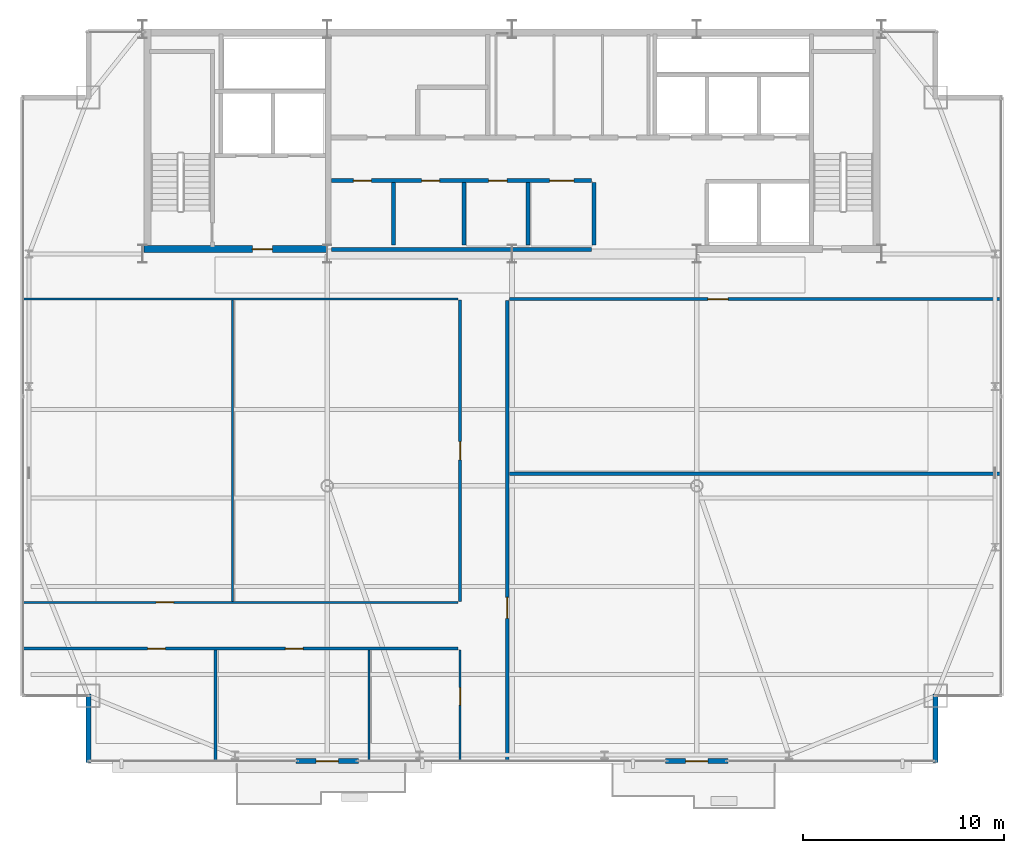
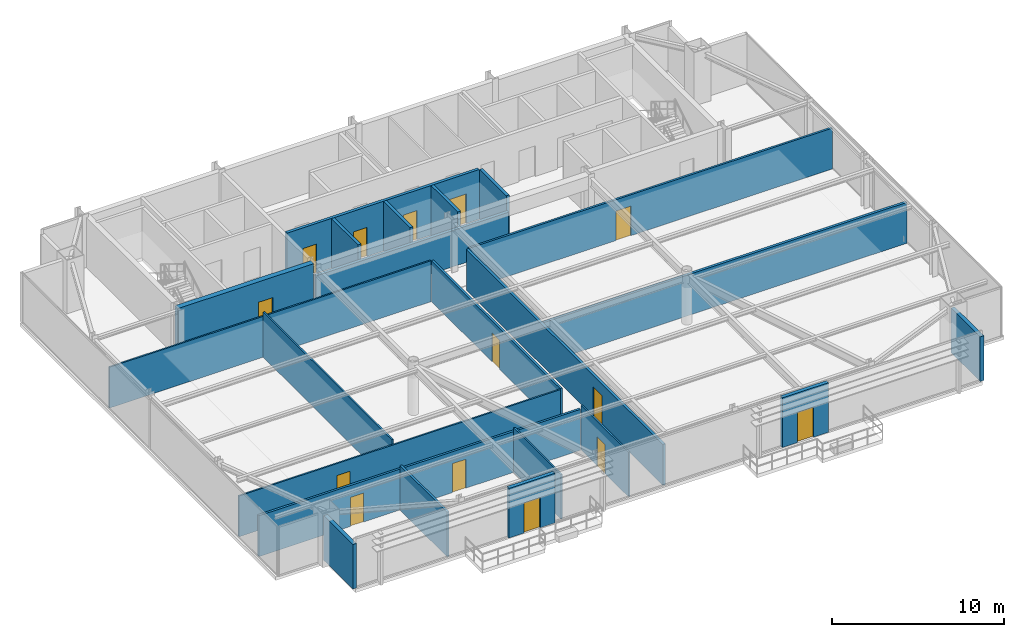
# One storey, part 26 of 30: 22 walls, 14 doors, 14 openings.
"""IFC4 building model written with IfcOpenShell, lengths in metres."""

import ifcopenshell
import ifcopenshell.guid

model = None  # the IFC model being written
_history = None  # IfcOwnerHistory: only IFC2X3 demands one
_inside = {}  # id of a spatial element -> (the spatial element, [elements in it])
_under = {}  # id of a project, library or spatial element -> (it, [spatial elements below it])
_declared = {}  # id of a project -> (the project, [libraries it declares])
_typed = {}  # id of a type object -> (the type object, [elements of that type])
_made_of = {}  # id of a material, layer set ... -> (it, [elements and type objects made of it])


def new_model(schema):
    """Start an empty IFC model of exactly this schema.

    Asked for "IFC4X3", IfcOpenShell would pick the latest addendum, in which some entities
    have other attributes; the version numbers below select the first issue.
    IFC2X3 requires an IfcOwnerHistory on every rooted entity: one is made here for all.
    """
    global model, _history
    if schema == "IFC4X3":
        model = ifcopenshell.file(schema_version=(4, 3, 0, 0))
    else:
        model = ifcopenshell.file(schema=schema)
    _inside.clear()
    _under.clear()
    _declared.clear()
    _typed.clear()
    _made_of.clear()
    _history = None
    if model.schema == "IFC2X3":
        org = make("IfcOrganization", Name="unknown")
        user = make(
            "IfcPersonAndOrganization",
            ThePerson=make("IfcPerson", FamilyName="unknown"),
            TheOrganization=org,
        )
        app = make(
            "IfcApplication",
            ApplicationDeveloper=org,
            Version="unknown",
            ApplicationFullName="unknown",
            ApplicationIdentifier="unknown",
        )
        _history = make(
            "IfcOwnerHistory",
            OwningUser=user,
            OwningApplication=app,
            ChangeAction="ADDED",
            CreationDate=0,
        )
    return model


def make(cls, **values):
    """One entity of the class cls with the attributes given. An attribute that is None is left unset."""
    return model.create_entity(
        cls, **{name: value for name, value in values.items() if value is not None}
    )


def rooted(cls, **values):
    """An entity with a GlobalId (a new one), such as an element, a storey or a relation."""
    return make(cls, GlobalId=ifcopenshell.guid.new(), OwnerHistory=_history, **values)


def si_unit(unit_type, name, prefix=None):
    """IfcSIUnit, for example si_unit("LENGTHUNIT", "METRE", prefix="MILLI")."""
    return make("IfcSIUnit", UnitType=unit_type, Prefix=prefix, Name=name)


def assignment(units):
    """IfcUnitAssignment: the units of a project."""
    return None if units is None else make("IfcUnitAssignment", Units=units)


def point(xyz):
    """IfcCartesianPoint."""
    return None if xyz is None else make("IfcCartesianPoint", Coordinates=xyz)


def direction(xyz):
    """IfcDirection."""
    return None if xyz is None else make("IfcDirection", DirectionRatios=xyz)


def frame(location, z_axis=None, x_axis=None):
    """IfcAxis2Placement3D, a coordinate frame: its origin and axes. An axis left out is left unset."""
    return make(
        "IfcAxis2Placement3D",
        Location=point(location),
        Axis=direction(z_axis),
        RefDirection=direction(x_axis),
    )


def frame_2d(location, x_axis=None):
    """IfcAxis2Placement2D, a coordinate frame in the plane: its origin and x axis."""
    return make(
        "IfcAxis2Placement2D", Location=point(location), RefDirection=direction(x_axis)
    )


def origin():
    """The frame at (0, 0, 0) with its axes left unset."""
    return frame((0.0, 0.0, 0.0))


def place(relative_to, where):
    """IfcLocalPlacement: puts the frame where relative to a parent placement (None: the world)."""
    return make(
        "IfcLocalPlacement", PlacementRelTo=relative_to, RelativePlacement=where
    )


def context(
    kind, dimensions, precision=None, world=None, true_north=None, identifier=None
):
    """IfcGeometricRepresentationContext, for example the 3D "Model" context."""
    return make(
        "IfcGeometricRepresentationContext",
        ContextIdentifier=identifier,
        ContextType=kind,
        CoordinateSpaceDimension=dimensions,
        Precision=precision,
        WorldCoordinateSystem=world,
        TrueNorth=true_north,
    )


def subcontext(parent, identifier, kind, view, scale=None):
    """IfcGeometricRepresentationSubContext, for example "Body" below "Model"."""
    return make(
        "IfcGeometricRepresentationSubContext",
        ContextIdentifier=identifier,
        ContextType=kind,
        ParentContext=parent,
        TargetScale=scale,
        TargetView=view,
    )


def project(units=None, contexts=None):
    """IfcProject with its units and contexts."""
    return rooted(
        "IfcProject",
        Name="project",
        RepresentationContexts=contexts,
        UnitsInContext=assignment(units),
    )


def spatial(cls, under=None, at=None, **own):
    """A site, building, storey or space (cls), placed at a placement, below another one or the project."""
    s = rooted(cls, ObjectPlacement=at, **own)
    if under is not None:
        _under.setdefault(under.id(), (under, []))[1].append(s)
    return s


def profile(cls, at=None, kind="AREA", **sizes):
    """A parametric profile (cls). Its sizes go by their IFC names, for example OverallWidth=200.0."""
    return make(cls, ProfileType=kind, Position=at, **sizes)


def rectangle(**sizes):
    """IfcRectangleProfileDef."""
    return profile("IfcRectangleProfileDef", **sizes)


def extrude(swept, where, along, depth):
    """IfcExtrudedAreaSolid: the profile swept, set in the frame where, extruded along a direction by depth."""
    return make(
        "IfcExtrudedAreaSolid",
        SweptArea=swept,
        Position=where,
        ExtrudedDirection=direction(along),
        Depth=depth,
    )


def shape(context_of_items, identifier, shape_type, items):
    """IfcShapeRepresentation: the items that make up one representation, for example the "Body"."""
    return make(
        "IfcShapeRepresentation",
        ContextOfItems=context_of_items,
        RepresentationIdentifier=identifier,
        RepresentationType=shape_type,
        Items=items,
    )


def source(mapping_origin, context_of_items, identifier, shape_type, items):
    """IfcRepresentationMap: a shape defined once, which mapped items show again and again."""
    return make(
        "IfcRepresentationMap",
        MappingOrigin=mapping_origin,
        MappedRepresentation=shape(context_of_items, identifier, shape_type, items),
    )


def transform(
    local_origin,
    x_axis=None,
    y_axis=None,
    z_axis=None,
    scale=None,
    scale2=None,
    scale3=None,
    uniform=True,
):
    """IfcCartesianTransformationOperator3D, or its non-uniform kind. x_axis, y_axis, z_axis: its Axis1, 2, 3."""
    if uniform:
        return make(
            "IfcCartesianTransformationOperator3D",
            Axis1=direction(x_axis),
            Axis2=direction(y_axis),
            LocalOrigin=point(local_origin),
            Scale=scale,
            Axis3=direction(z_axis),
        )
    return make(
        "IfcCartesianTransformationOperator3DnonUniform",
        Axis1=direction(x_axis),
        Axis2=direction(y_axis),
        LocalOrigin=point(local_origin),
        Scale=scale,
        Axis3=direction(z_axis),
        Scale2=scale2,
        Scale3=scale3,
    )


def mapped(mapping_source, mapping_target):
    """IfcMappedItem: shows the shape of a source again, moved by a transform."""
    return make(
        "IfcMappedItem", MappingSource=mapping_source, MappingTarget=mapping_target
    )


def material(Name=None, Category=None):
    """IfcMaterial."""
    return make("IfcMaterial", Name=Name, Category=Category)


def layer(
    of_material, thickness, ventilated=None, Name=None, Category=None, Priority=None
):
    """IfcMaterialLayer: one layer of a wall or slab, of a material (None: an air gap)."""
    return make(
        "IfcMaterialLayer",
        Material=of_material,
        LayerThickness=thickness,
        IsVentilated=ventilated,
        Name=Name,
        Category=Category,
        Priority=Priority,
    )


def layer_set(layers, Name=None):
    """IfcMaterialLayerSet."""
    return make("IfcMaterialLayerSet", MaterialLayers=layers, LayerSetName=Name)


def made_of(thing, what):
    """Note that an element or type object is made of a material, layer set ...; save() writes the relation."""
    if what is not None:
        _made_of.setdefault(what.id(), (what, []))[1].append(thing)
    return thing


def type_object(cls, material=None, **own):
    """A type object (cls), such as IfcWallType, which elements share."""
    return made_of(rooted(cls, **own), material)


def type_shapes(of_type, sources):
    """Give a type object the sources (RepresentationMaps) that its elements show as mapped items."""
    of_type.RepresentationMaps = sources


def element(
    cls,
    number,
    at=None,
    inside=None,
    cuts=None,
    type_object=None,
    material=None,
    context=None,
    identifier="Body",
    shape_type=None,
    held_by="IfcProductDefinitionShape",
    body=None,
    shapes=None,
    **own,
):
    """One element of the class cls, such as IfcWall. Its Tag is "e" and its number.

    at: its placement. inside: the storey or other place that contains it. cuts: it is an
    opening in that element (IfcRelVoidsElement). A single representation is given by context,
    identifier, shape_type and body (its items); several are given by shapes. held_by: the class
    of the entity that holds the representations. save() writes the other relations.
    """
    e = rooted(cls, Tag="e%d" % number, ObjectPlacement=at, **own)
    if body is not None:
        shapes = [shape(context, identifier, shape_type, body)]
    if shapes is not None:
        e.Representation = make(held_by, Representations=shapes)
    if inside is not None:
        _inside.setdefault(inside.id(), (inside, []))[1].append(e)
    if cuts is not None:
        rooted(
            "IfcRelVoidsElement", RelatingBuildingElement=cuts, RelatedOpeningElement=e
        )
    if type_object is not None:
        _typed.setdefault(type_object.id(), (type_object, []))[1].append(e)
    return made_of(e, material)


def fill(opening, filler):
    """IfcRelFillsElement: the door or window that sits in an opening."""
    return rooted(
        "IfcRelFillsElement",
        RelatingOpeningElement=opening,
        RelatedBuildingElement=filler,
    )


def aggregate(whole, parts):
    """IfcRelAggregates: a whole, such as a stair, and the parts it consists of."""
    return rooted("IfcRelAggregates", RelatingObject=whole, RelatedObjects=parts)


def save(model, path):
    """Write the relations noted so far, then the file.

    IfcRelAggregates (storeys below a building ...), IfcRelContainedInSpatialStructure (elements
    in a storey), IfcRelDefinesByType, IfcRelAssociatesMaterial and IfcRelDeclares: one each for
    every whole, place, type object, material and project.
    """
    for whole, parts in _under.values():
        aggregate(whole, parts)
    for where, things in _inside.values():
        rooted(
            "IfcRelContainedInSpatialStructure",
            RelatedElements=things,
            RelatingStructure=where,
        )
    for kind, things in _typed.values():
        rooted("IfcRelDefinesByType", RelatedObjects=things, RelatingType=kind)
    for what, things in _made_of.values():
        rooted("IfcRelAssociatesMaterial", RelatedObjects=things, RelatingMaterial=what)
    for by, libraries in _declared.values():
        rooted("IfcRelDeclares", RelatingContext=by, RelatedDefinitions=libraries)
    model.write(path)


model = new_model("IFC4")

# Units and contexts
model_context = context("Model", 3, precision=1e-05, world=origin(), true_north=direction((0.0, 1.0)))
body_context = subcontext(model_context, "Body", "Model", "MODEL_VIEW")
ifc_project = project(units=[si_unit("LENGTHUNIT", "METRE"), si_unit("AREAUNIT", "SQUARE_METRE"), si_unit("VOLUMEUNIT", "CUBIC_METRE"), si_unit("PLANEANGLEUNIT", "RADIAN"), si_unit("MASSUNIT", "GRAM", prefix="KILO")], contexts=[model_context])

# Site, building, storey
site_placement = place(None, origin())
site = spatial("IfcSite", under=ifc_project, at=site_placement, CompositionType="ELEMENT")
building_placement = place(site_placement, origin())
building = spatial("IfcBuilding", under=site, at=building_placement, Name="Varnel Quay Broadcast Tower", CompositionType="ELEMENT")
storey_placement = place(building_placement, frame((0.0, 0.0, 222.60009765625)))
storey = spatial("IfcBuildingStorey", under=building, at=storey_placement, Name="L55", CompositionType="ELEMENT", Elevation=222.60009765625)

# Wall, opening, door
ifc_material_1 = material(Name="Concrete CSA A23.3 C50/60", Category="concrete")
ifc_layer_1 = layer(ifc_material_1, 0.35009765625, Name="Concrete CSA A23.3 C50/60")
ifc_layer_set_1 = layer_set([ifc_layer_1], Name="Concrete CSA A23.3 C50/60")
wall_type_1 = type_object("IfcWallType", Name="Wall_CoreShearInt350", PredefinedType="SHEAR", material=ifc_layer_set_1)
wall_1_placement = place(storey_placement, frame((15.669921875, 35.844970703125, 0.0), z_axis=(0.0, 0.0, 1.0), x_axis=(1.0, 0.0, 0.0)))
wall_1 = element("IfcWall", 1, at=wall_1_placement, inside=storey, type_object=wall_type_1, Name="L55 South-West Core Shear Wall", PredefinedType="SHEAR", context=body_context, shape_type="SweptSolid", body=[
    extrude(rectangle(XDim=9.130126953125, YDim=0.35009765625, at=frame_2d((4.56494140625, 0.0))), origin(), (0.0, 0.0, 1.0), 3.5498046875),
])
opening_1_placement = place(wall_1_placement, frame((5.39990234375, 0.0, 0.0)))
opening_1 = element("IfcOpeningElement", 2, at=opening_1_placement, cuts=wall_1, Name="Opening D-L55-FFL", PredefinedType="OPENING", context=body_context, shape_type="SweptSolid", body=[
    extrude(rectangle(XDim=1.0, YDim=2.10009765625, at=frame_2d((0.5, 1.050048828125))), frame((0.0, 0.18505859375, 0.0), z_axis=(0.0, -1.0, 0.0), x_axis=(1.0, 0.0, 0.0)), (0.0, 0.0, 1.0), 0.3701171875),
])
ifc_material_2 = material(Name="Insulated Fire-Rated Hollow Steel Door", Category="steel")
door_type_1 = type_object("IfcDoorType", Name="Door_FireLobby1000", OperationType="NOTDEFINED", PredefinedType="DOOR", material=ifc_material_2)
shared_shape_1 = source(origin(), body_context, "Body", "SweptSolid", [
    extrude(rectangle(XDim=1.0, YDim=2.10009765625, at=frame_2d((0.5, 1.050048828125))), frame((0.0, 0.02490234375, 0.0), z_axis=(0.0, -1.0, 0.0), x_axis=(1.0, 0.0, 0.0)), (0.0, 0.0, 1.0), 0.050048828125),
])
type_shapes(door_type_1, [shared_shape_1])
door_1_placement = place(opening_1_placement, origin())
door_1 = element("IfcDoor", 3, at=door_1_placement, inside=storey, type_object=door_type_1, Name="L55 Firefighting Lobby Door", OperationType="SINGLE_SWING_RIGHT", OverallHeight=2.10009765625, OverallWidth=1.0, PredefinedType="DOOR", context=body_context, shape_type="MappedRepresentation", body=[
    mapped(shared_shape_1, transform((0.0, 0.0, 0.0), x_axis=(1.0, 0.0, 0.0), y_axis=(0.0, 1.0, 0.0), z_axis=(0.0, 0.0, 1.0), scale=1.0)),
])
fill(opening_1, door_1)

ifc_material_3 = material(Name="Precast Architectural Concrete C40/50", Category="concrete")
ifc_layer_2 = layer(ifc_material_3, 0.25, Name="Precast Architectural Concrete C40/50")
ifc_layer_set_2 = layer_set([ifc_layer_2], Name="Precast Architectural Concrete C40/50")
wall_type_2 = type_object("IfcWallType", Name="Wall_ExtTerrace250", PredefinedType="SOLIDWALL", material=ifc_layer_set_2)
wall_2_placement = place(storey_placement, frame((23.25, 10.35009765625, 0.0), z_axis=(0.0, 0.0, 1.0), x_axis=(1.0, 0.0, 0.0)))
wall_2 = element("IfcWall", 4, at=wall_2_placement, inside=storey, type_object=wall_type_2, Name="L55 Terrace Access Wall 1", PredefinedType="SOLIDWALL", context=body_context, shape_type="SweptSolid", body=[
    extrude(rectangle(XDim=3.10009765625, YDim=0.25, at=frame_2d((1.550048828125, 0.0))), origin(), (0.0, 0.0, 1.0), 3.52978515625),
])
opening_2_placement = place(wall_2_placement, frame((1.0, 0.0, 0.0)))
opening_2 = element("IfcOpeningElement", 5, at=opening_2_placement, cuts=wall_2, Name="Opening TD-551", PredefinedType="OPENING", context=body_context, shape_type="SweptSolid", body=[
    extrude(rectangle(XDim=1.10009765625, YDim=2.14990234375, at=frame_2d((0.550048828125, 1.074951171875))), frame((0.0, 0.135009765625, 0.0), z_axis=(0.0, -1.0, 0.0), x_axis=(1.0, 0.0, 0.0)), (0.0, 0.0, 1.0), 0.27001953125),
])
ifc_material_4 = material(Name="Anodised Bronze Aluminium 6063-T6", Category="aluminium")
door_type_2 = type_object("IfcDoorType", Name="Door_ExtTerrace1100", OperationType="NOTDEFINED", PredefinedType="DOOR", material=ifc_material_4)
shared_shape_2 = source(origin(), body_context, "Body", "SweptSolid", [
    extrude(rectangle(XDim=1.10009765625, YDim=2.14990234375, at=frame_2d((0.550048828125, 1.074951171875))), frame((0.0, 0.02490234375, 0.0), z_axis=(0.0, -1.0, 0.0), x_axis=(1.0, 0.0, 0.0)), (0.0, 0.0, 1.0), 0.050048828125),
])
type_shapes(door_type_2, [shared_shape_2])
door_2_placement = place(opening_2_placement, frame((1.10009765625, 0.0, 0.0), z_axis=(0.0, 0.0, 1.0), x_axis=(-1.0, 0.0, 0.0)))
door_2 = element("IfcDoor", 6, at=door_2_placement, inside=storey, type_object=door_type_2, Name="L55 Terrace Door TD-551", OperationType="SINGLE_SWING_LEFT", OverallHeight=2.14990234375, OverallWidth=1.10009765625, PredefinedType="DOOR", context=body_context, shape_type="MappedRepresentation", body=[
    mapped(shared_shape_2, transform((0.0, 0.0, 0.0), x_axis=(1.0, 0.0, 0.0), y_axis=(0.0, 1.0, 0.0), z_axis=(0.0, 0.0, 1.0), scale=1.0)),
])
fill(opening_2, door_2)

wall_3_placement = place(storey_placement, frame((41.64990234375, 10.35009765625, 0.0), z_axis=(0.0, 0.0, 1.0), x_axis=(1.0, 0.0, 0.0)))
wall_3 = element("IfcWall", 7, at=wall_3_placement, inside=storey, type_object=wall_type_2, Name="L55 Terrace Access Wall 2", PredefinedType="SOLIDWALL", context=body_context, shape_type="SweptSolid", body=[
    extrude(rectangle(XDim=3.10009765625, YDim=0.25, at=frame_2d((1.550048828125, 0.0))), origin(), (0.0, 0.0, 1.0), 3.52978515625),
])
opening_3_placement = place(wall_3_placement, frame((1.0, 0.0, 0.0)))
opening_3 = element("IfcOpeningElement", 8, at=opening_3_placement, cuts=wall_3, Name="Opening TD-552", PredefinedType="OPENING", context=body_context, shape_type="SweptSolid", body=[
    extrude(rectangle(XDim=1.10009765625, YDim=2.14990234375, at=frame_2d((0.550048828125, 1.074951171875))), frame((0.0, 0.135009765625, 0.0), z_axis=(0.0, -1.0, 0.0), x_axis=(1.0, 0.0, 0.0)), (0.0, 0.0, 1.0), 0.27001953125),
])
door_3_placement = place(opening_3_placement, frame((1.10009765625, 0.0, 0.0), z_axis=(0.0, 0.0, 1.0), x_axis=(-1.0, 0.0, 0.0)))
door_3 = element("IfcDoor", 9, at=door_3_placement, inside=storey, type_object=door_type_2, Name="L55 Terrace Door TD-552", OperationType="SINGLE_SWING_RIGHT", OverallHeight=2.14990234375, OverallWidth=1.10009765625, PredefinedType="DOOR", context=body_context, shape_type="MappedRepresentation", body=[
    mapped(shared_shape_2, transform((0.0, 0.0, 0.0), x_axis=(1.0, 0.0, 0.0), y_axis=(0.0, 1.0, 0.0), z_axis=(0.0, 0.0, 1.0), scale=1.0)),
])
fill(opening_3, door_3)

# Walls
for number, where, z_axis, x_axis, name in (
    (10, (12.89990234375, 10.280029296875, 0.0), (0.0, 0.0, 1.0), (0.0, 1.0, 0.0), "L55 Mega-Column Notch Cladding Wall NSW2"),
    (11, (55.10009765625, 10.280029296875, 0.0), (0.0, 0.0, 1.0), (0.0, 1.0, 0.0), "L55 Mega-Column Notch Cladding Wall NSE2"),
):
    element("IfcWall", number, at=place(storey_placement, frame(where, z_axis=z_axis, x_axis=x_axis)), inside=storey, type_object=wall_type_2, Name=name, PredefinedType="SOLIDWALL", context=body_context, shape_type="SweptSolid", body=[
        extrude(rectangle(XDim=3.39990234375, YDim=0.25, at=frame_2d((1.699951171875, 0.0))), origin(), (0.0, 0.0, 1.0), 3.1708984375),
    ])
ifc_material_5 = material(Name="Concrete Blockwork Fire Enclosure C40/50", Category="masonry")
ifc_layer_3 = layer(ifc_material_5, 0.199951171875, Name="Concrete Blockwork Fire Enclosure C40/50")
ifc_layer_set_3 = layer_set([ifc_layer_3], Name="Concrete Blockwork Fire Enclosure C40/50")
wall_type_3 = type_object("IfcWallType", Name="Wall_FireShaft200", PredefinedType="SOLIDWALL", material=ifc_layer_set_3)
wall_4_placement = place(storey_placement, frame((25.0, 35.824951171875, 0.0), z_axis=(0.0, 0.0, 1.0), x_axis=(1.0, 0.0, 0.0)))
element("IfcWall", 12, at=wall_4_placement, inside=storey, type_object=wall_type_3, Name="L55 Accessible Universal Washroom Partition 1", PredefinedType="SOLIDWALL", context=body_context, shape_type="SweptSolid", body=[
    extrude(rectangle(XDim=12.949951171875, YDim=0.199951171875, at=frame_2d((6.47509765625, 0.0))), origin(), (0.0, 0.0, 1.0), 2.574951171875),
])

# Wall, openings, doors
wall_5_placement = place(storey_placement, frame((25.0, 39.25, 0.0), z_axis=(0.0, 0.0, 1.0), x_axis=(1.0, 0.0, 0.0)))
wall_5 = element("IfcWall", 13, at=wall_5_placement, inside=storey, type_object=wall_type_3, Name="L55 Accessible Universal Washroom Partition 3", PredefinedType="SOLIDWALL", context=body_context, shape_type="SweptSolid", body=[
    extrude(rectangle(XDim=12.949951171875, YDim=0.199951171875, at=frame_2d((6.47509765625, 0.0))), origin(), (0.0, 0.0, 1.0), 3.52978515625),
])
opening_4_placement = place(wall_5_placement, frame((1.10009765625, 0.0, 0.0)))
opening_4 = element("IfcOpeningElement", 14, at=opening_4_placement, cuts=wall_5, Name="Opening D-L55-01", PredefinedType="OPENING", context=body_context, shape_type="SweptSolid", body=[
    extrude(rectangle(XDim=0.89990234375, YDim=2.06005859375, at=frame_2d((0.449951171875, 1.030029296875))), frame((0.0, 0.10986328125, 0.0), z_axis=(0.0, -1.0, 0.0), x_axis=(1.0, 0.0, 0.0)), (0.0, 0.0, 1.0), 0.219970703125),
])
opening_5_placement = place(wall_5_placement, frame((4.5, 0.0, 0.0)))
opening_5 = element("IfcOpeningElement", 15, at=opening_5_placement, cuts=wall_5, Name="Opening D-L55-02", PredefinedType="OPENING", context=body_context, shape_type="SweptSolid", body=[
    extrude(rectangle(XDim=0.89990234375, YDim=2.06005859375, at=frame_2d((0.449951171875, 1.030029296875))), frame((0.0, 0.10986328125, 0.0), z_axis=(0.0, -1.0, 0.0), x_axis=(1.0, 0.0, 0.0)), (0.0, 0.0, 1.0), 0.219970703125),
])
opening_6_placement = place(wall_5_placement, frame((7.840087890625, 0.0, 0.0)))
opening_6 = element("IfcOpeningElement", 16, at=opening_6_placement, cuts=wall_5, Name="Opening D-L55-03", PredefinedType="OPENING", context=body_context, shape_type="SweptSolid", body=[
    extrude(rectangle(XDim=0.919921875, YDim=2.080078125, at=frame_2d((0.4599609375, 1.0400390625))), frame((0.0, 0.10986328125, 0.0), z_axis=(0.0, -1.0, 0.0), x_axis=(1.0, 0.0, 0.0)), (0.0, 0.0, 1.0), 0.219970703125),
])
opening_7_placement = place(wall_5_placement, frame((10.875, 0.0, 0.0)))
opening_7 = element("IfcOpeningElement", 17, at=opening_7_placement, cuts=wall_5, Name="Opening D-L55-04", PredefinedType="OPENING", context=body_context, shape_type="SweptSolid", body=[
    extrude(rectangle(XDim=1.199951171875, YDim=2.10009765625, at=frame_2d((0.60009765625, 1.050048828125))), frame((0.0, 0.10986328125, 0.0), z_axis=(0.0, -1.0, 0.0), x_axis=(1.0, 0.0, 0.0)), (0.0, 0.0, 1.0), 0.219970703125),
])
ifc_material_6 = material(Name="Solid-Core Fire-Rated Acoustic Oak Veneer Door", Category="wood")
door_type_3 = type_object("IfcDoorType", Name="Door_Washroom900", OperationType="NOTDEFINED", PredefinedType="DOOR", material=ifc_material_6)
shared_shape_3 = source(origin(), body_context, "Body", "SweptSolid", [
    extrude(rectangle(XDim=0.89990234375, YDim=2.06005859375, at=frame_2d((0.449951171875, 1.030029296875))), frame((0.0, 0.02490234375, 0.0), z_axis=(0.0, -1.0, 0.0), x_axis=(1.0, 0.0, 0.0)), (0.0, 0.0, 1.0), 0.050048828125),
])
type_shapes(door_type_3, [shared_shape_3])
door_4_placement = place(opening_4_placement, frame((0.89990234375, 0.0, 0.0), z_axis=(0.0, 0.0, 1.0), x_axis=(-1.0, 0.0, 0.0)))
door_4 = element("IfcDoor", 18, at=door_4_placement, inside=storey, type_object=door_type_3, Name="L55 Accessible Universal Washroom Door D-L55-01", OperationType="SINGLE_SWING_LEFT", OverallHeight=2.06005859375, OverallWidth=0.89990234375, PredefinedType="DOOR", context=body_context, shape_type="MappedRepresentation", body=[
    mapped(shared_shape_3, transform((0.0, 0.0, 0.0), x_axis=(1.0, 0.0, 0.0), y_axis=(0.0, 1.0, 0.0), z_axis=(0.0, 0.0, 1.0), scale=1.0)),
])
fill(opening_4, door_4)
door_5_placement = place(opening_5_placement, frame((0.89990234375, 0.0, 0.0), z_axis=(0.0, 0.0, 1.0), x_axis=(-1.0, 0.0, 0.0)))
door_5 = element("IfcDoor", 19, at=door_5_placement, inside=storey, type_object=door_type_3, Name="L55 Staff Washroom Block Door D-L55-02", OperationType="SINGLE_SWING_RIGHT", OverallHeight=2.06005859375, OverallWidth=0.89990234375, PredefinedType="DOOR", context=body_context, shape_type="MappedRepresentation", body=[
    mapped(shared_shape_3, transform((0.0, 0.0, 0.0), x_axis=(1.0, 0.0, 0.0), y_axis=(0.0, 1.0, 0.0), z_axis=(0.0, 0.0, 1.0), scale=1.0)),
])
fill(opening_5, door_5)
door_type_4 = type_object("IfcDoorType", Name="Door_Plant1200", OperationType="NOTDEFINED", PredefinedType="DOOR", material=ifc_material_2)
shared_shape_4 = source(origin(), body_context, "Body", "SweptSolid", [
    extrude(rectangle(XDim=1.199951171875, YDim=2.10009765625, at=frame_2d((0.60009765625, 1.050048828125))), frame((0.0, 0.02490234375, 0.0), z_axis=(0.0, -1.0, 0.0), x_axis=(1.0, 0.0, 0.0)), (0.0, 0.0, 1.0), 0.050048828125),
])
type_shapes(door_type_4, [shared_shape_4])
door_6_placement = place(opening_7_placement, origin())
door_6 = element("IfcDoor", 20, at=door_6_placement, inside=storey, type_object=door_type_4, Name="L55 Zone Lighting Dimmer Room Door D-L55-04", OperationType="SINGLE_SWING_RIGHT", OverallHeight=2.10009765625, OverallWidth=1.199951171875, PredefinedType="DOOR", context=body_context, shape_type="MappedRepresentation", body=[
    mapped(shared_shape_4, transform((0.0, 0.0, 0.0), x_axis=(1.0, 0.0, 0.0), y_axis=(0.0, 1.0, 0.0), z_axis=(0.0, 0.0, 1.0), scale=1.0)),
])
fill(opening_7, door_6)
door_type_5 = type_object("IfcDoorType", Name="Door_Office920", OperationType="NOTDEFINED", PredefinedType="DOOR", material=ifc_material_6)
shared_shape_5 = source(origin(), body_context, "Body", "SweptSolid", [
    extrude(rectangle(XDim=0.919921875, YDim=2.080078125, at=frame_2d((0.4599609375, 1.0400390625))), frame((0.0, 0.02490234375, 0.0), z_axis=(0.0, -1.0, 0.0), x_axis=(1.0, 0.0, 0.0)), (0.0, 0.0, 1.0), 0.050048828125),
])
type_shapes(door_type_5, [shared_shape_5])
door_7_placement = place(opening_6_placement, frame((0.919921875, 0.0, 0.0), z_axis=(0.0, 0.0, 1.0), x_axis=(-1.0, 0.0, 0.0)))
door_7 = element("IfcDoor", 21, at=door_7_placement, inside=storey, type_object=door_type_5, Name="L55 Broadcast First-Aid & Quiet Room Door D-L55-03", OperationType="SINGLE_SWING_LEFT", OverallHeight=2.080078125, OverallWidth=0.919921875, PredefinedType="DOOR", context=body_context, shape_type="MappedRepresentation", body=[
    mapped(shared_shape_5, transform((0.0, 0.0, 0.0), x_axis=(1.0, 0.0, 0.0), y_axis=(0.0, 1.0, 0.0), z_axis=(0.0, 0.0, 1.0), scale=1.0)),
])
fill(opening_6, door_7)

# Walls
for number, where, z_axis, x_axis, name in (
    (22, (34.800048828125, 36.050048828125, 0.0), (0.0, 0.0, 1.0), (0.0, 1.0, 0.0), "L55 Broadcast First-Aid & Quiet Room Partition 5"),
    (23, (38.074951171875, 36.050048828125, 0.0), (0.0, 0.0, 1.0), (0.0, 1.0, 0.0), "L55 Zone Lighting Dimmer Room Partition 6"),
):
    element("IfcWall", number, at=place(storey_placement, frame(where, z_axis=z_axis, x_axis=x_axis)), inside=storey, type_object=wall_type_3, Name=name, PredefinedType="SOLIDWALL", context=body_context, shape_type="SweptSolid", body=[
        extrude(rectangle(XDim=3.099853515625, YDim=0.199951171875, at=frame_2d((1.5498046875, 0.0))), origin(), (0.0, 0.0, 1.0), 3.52978515625),
    ])
ifc_material_7 = material(Name="Steel-Stud Fire-Rated Acoustic Gypsum Partition Assembly", Category="steel")
ifc_layer_4 = layer(ifc_material_7, 0.10498046875, Name="Steel-Stud Fire-Rated Acoustic Gypsum Partition Assembly")
ifc_layer_set_4 = layer_set([ifc_layer_4], Name="Steel-Stud Fire-Rated Acoustic Gypsum Partition Assembly")
wall_type_4 = type_object("IfcWallType", Name="Wall_Partition105", PredefinedType="PARTITIONING", material=ifc_layer_set_4)
wall_6_placement = place(storey_placement, frame((26.8798828125, 10.3798828125, 0.0), z_axis=(0.0, 0.0, 1.0), x_axis=(0.0, 1.0, 0.0)))
element("IfcWall", 24, at=wall_6_placement, inside=storey, type_object=wall_type_4, Name="L55 Media Tape Archive Store 2 Partition 9", PredefinedType="PARTITIONING", context=body_context, shape_type="SweptSolid", body=[
    extrude(rectangle(XDim=5.4951171875, YDim=0.10498046875, at=frame_2d((2.74755859375, 0.0))), origin(), (0.0, 0.0, 1.0), 3.1708984375),
])

# Wall, opening, door
wall_7_placement = place(storey_placement, frame((31.419921875, 10.3798828125, 0.0), z_axis=(0.0, 0.0, 1.0), x_axis=(0.0, 1.0, 0.0)))
wall_7 = element("IfcWall", 25, at=wall_7_placement, inside=storey, type_object=wall_type_4, Name="L55 Lens & Rigging Store 3 Partition 10", PredefinedType="PARTITIONING", context=body_context, shape_type="SweptSolid", body=[
    extrude(rectangle(XDim=5.4951171875, YDim=0.10498046875, at=frame_2d((2.74755859375, 0.0))), origin(), (0.0, 0.0, 1.0), 3.1708984375),
])
opening_8_placement = place(wall_7_placement, frame((2.75, 0.0, 0.0)))
opening_8 = element("IfcOpeningElement", 26, at=opening_8_placement, cuts=wall_7, Name="Opening D-L55-07", PredefinedType="OPENING", context=body_context, shape_type="SweptSolid", body=[
    extrude(rectangle(XDim=0.8798828125, YDim=2.06005859375, at=frame_2d((0.43994140625, 1.030029296875))), frame((0.0, 0.0625, 0.0), z_axis=(0.0, -1.0, 0.0), x_axis=(1.0, 0.0, 0.0)), (0.0, 0.0, 1.0), 0.125),
])
door_type_6 = type_object("IfcDoorType", Name="Door_Booth880", OperationType="NOTDEFINED", PredefinedType="DOOR", material=ifc_material_6)
shared_shape_6 = source(origin(), body_context, "Body", "SweptSolid", [
    extrude(rectangle(XDim=0.8798828125, YDim=2.06005859375, at=frame_2d((0.43994140625, 1.030029296875))), frame((0.0, 0.02490234375, 0.0), z_axis=(0.0, -1.0, 0.0), x_axis=(1.0, 0.0, 0.0)), (0.0, 0.0, 1.0), 0.050048828125),
])
type_shapes(door_type_6, [shared_shape_6])
door_8_placement = place(opening_8_placement, origin())
door_8 = element("IfcDoor", 27, at=door_8_placement, inside=storey, type_object=door_type_6, Name="L55 Lens & Rigging Store 3 Door D-L55-07", OperationType="SINGLE_SWING_LEFT", OverallHeight=2.06005859375, OverallWidth=0.8798828125, PredefinedType="DOOR", context=body_context, shape_type="MappedRepresentation", body=[
    mapped(shared_shape_6, transform((0.0, 0.0, 0.0), x_axis=(1.0, 0.0, 0.0), y_axis=(0.0, 1.0, 0.0), z_axis=(0.0, 0.0, 1.0), scale=1.0)),
])
fill(opening_8, door_8)

wall_8_placement = place(storey_placement, frame((9.679931640625, 18.25, 0.0), z_axis=(0.0, 0.0, 1.0), x_axis=(1.0, 0.0, 0.0)))
wall_8 = element("IfcWall", 28, at=wall_8_placement, inside=storey, type_object=wall_type_4, Name="L55 Ingest Vault Store 4 Partition 11", PredefinedType="PARTITIONING", context=body_context, shape_type="SweptSolid", body=[
    extrude(rectangle(XDim=21.64013671875, YDim=0.10498046875, at=frame_2d((10.820068359375, 0.0))), origin(), (0.0, 0.0, 1.0), 2.907958984375),
])
opening_9_placement = place(wall_8_placement, frame((6.594970703125, 0.0, 0.0)))
opening_9 = element("IfcOpeningElement", 29, at=opening_9_placement, cuts=wall_8, Name="Opening D-L55-08", PredefinedType="OPENING", context=body_context, shape_type="SweptSolid", body=[
    extrude(rectangle(XDim=0.8798828125, YDim=2.06005859375, at=frame_2d((0.43994140625, 1.030029296875))), frame((0.0, 0.0625, 0.0), z_axis=(0.0, -1.0, 0.0), x_axis=(1.0, 0.0, 0.0)), (0.0, 0.0, 1.0), 0.125),
])
door_9_placement = place(opening_9_placement, origin())
door_9 = element("IfcDoor", 30, at=door_9_placement, inside=storey, type_object=door_type_6, Name="L55 Ingest Vault Store 4 Door D-L55-08", OperationType="SINGLE_SWING_RIGHT", OverallHeight=2.06005859375, OverallWidth=0.8798828125, PredefinedType="DOOR", context=body_context, shape_type="MappedRepresentation", body=[
    mapped(shared_shape_6, transform((0.0, 0.0, 0.0), x_axis=(1.0, 0.0, 0.0), y_axis=(0.0, 1.0, 0.0), z_axis=(0.0, 0.0, 1.0), scale=1.0)),
])
fill(opening_9, door_9)

# Walls
wall_9_placement = place(storey_placement, frame((20.080078125, 18.302001953125, 0.0), z_axis=(0.0, 0.0, 1.0), x_axis=(0.0, 1.0, 0.0)))
element("IfcWall", 31, at=wall_9_placement, inside=storey, type_object=wall_type_4, Name="L55 Ingest Vault Store 4 Partition 12", PredefinedType="PARTITIONING", context=body_context, shape_type="SweptSolid", body=[
    extrude(rectangle(XDim=14.9951171875, YDim=0.10498046875, at=frame_2d((7.49755859375, 0.0))), origin(), (0.0, 0.0, 1.0), 3.221923828125),
])
wall_10_placement = place(storey_placement, frame((9.679931640625, 33.35009765625, 0.0), z_axis=(0.0, 0.0, 1.0), x_axis=(1.0, 0.0, 0.0)))
element("IfcWall", 32, at=wall_10_placement, inside=storey, type_object=wall_type_4, Name="L55 Ingest Vault Store 4 Partition 13", PredefinedType="PARTITIONING", context=body_context, shape_type="SweptSolid", body=[
    extrude(rectangle(XDim=21.64013671875, YDim=0.10498046875, at=frame_2d((10.820068359375, 0.0))), origin(), (0.0, 0.0, 1.0), 2.907958984375),
])

# Wall, opening, door
ifc_layer_5 = layer(ifc_material_7, 0.139892578125, Name="Steel-Stud Fire-Rated Acoustic Gypsum Partition Assembly")
ifc_layer_set_5 = layer_set([ifc_layer_5], Name="Steel-Stud Fire-Rated Acoustic Gypsum Partition Assembly")
wall_type_5 = type_object("IfcWallType", Name="Wall_Partition140", PredefinedType="PARTITIONING", material=ifc_layer_set_5)
wall_11_placement = place(storey_placement, frame((33.8701171875, 33.35009765625, 0.0), z_axis=(0.0, 0.0, 1.0), x_axis=(1.0, 0.0, 0.0)))
wall_11 = element("IfcWall", 33, at=wall_11_placement, inside=storey, type_object=wall_type_5, Name="L55 Producer Lounge 7 Partition 17", PredefinedType="PARTITIONING", context=body_context, shape_type="SweptSolid", body=[
    extrude(rectangle(XDim=24.449951171875, YDim=0.139892578125, at=frame_2d((12.22509765625, 0.0))), origin(), (0.0, 0.0, 1.0), 2.907958984375),
])
opening_10_placement = place(wall_11_placement, frame((9.889892578125, 0.0, 0.0)))
opening_10 = element("IfcOpeningElement", 34, at=opening_10_placement, cuts=wall_11, Name="Opening D-L55-11", PredefinedType="OPENING", context=body_context, shape_type="SweptSolid", body=[
    extrude(rectangle(XDim=1.0, YDim=2.10009765625, at=frame_2d((0.5, 1.050048828125))), frame((0.0, 0.080078125, 0.0), z_axis=(0.0, -1.0, 0.0), x_axis=(1.0, 0.0, 0.0)), (0.0, 0.0, 1.0), 0.159912109375),
])
door_type_7 = type_object("IfcDoorType", Name="Door_Exec1000", OperationType="NOTDEFINED", PredefinedType="DOOR", material=ifc_material_6)
shared_shape_7 = source(origin(), body_context, "Body", "SweptSolid", [
    extrude(rectangle(XDim=1.0, YDim=2.10009765625, at=frame_2d((0.5, 1.050048828125))), frame((0.0, 0.02490234375, 0.0), z_axis=(0.0, -1.0, 0.0), x_axis=(1.0, 0.0, 0.0)), (0.0, 0.0, 1.0), 0.050048828125),
])
type_shapes(door_type_7, [shared_shape_7])
door_10_placement = place(opening_10_placement, frame((1.0, 0.0, 0.0), z_axis=(0.0, 0.0, 1.0), x_axis=(-1.0, 0.0, 0.0)))
door_10 = element("IfcDoor", 35, at=door_10_placement, inside=storey, type_object=door_type_7, Name="L55 Producer Lounge 7 Door D-L55-11", OperationType="SINGLE_SWING_LEFT", OverallHeight=2.10009765625, OverallWidth=1.0, PredefinedType="DOOR", context=body_context, shape_type="MappedRepresentation", body=[
    mapped(shared_shape_7, transform((0.0, 0.0, 0.0), x_axis=(1.0, 0.0, 0.0), y_axis=(0.0, 1.0, 0.0), z_axis=(0.0, 0.0, 1.0), scale=1.0)),
])
fill(opening_10, door_10)

# Wall
ifc_layer_6 = layer(ifc_material_7, 0.14990234375, Name="Steel-Stud Fire-Rated Acoustic Gypsum Partition Assembly")
ifc_layer_set_6 = layer_set([ifc_layer_6], Name="Steel-Stud Fire-Rated Acoustic Gypsum Partition Assembly")
wall_type_6 = type_object("IfcWallType", Name="Wall_Partition150", PredefinedType="PARTITIONING", material=ifc_layer_set_6)
wall_12_placement = place(storey_placement, frame((19.239990234375, 10.3798828125, 0.0), z_axis=(0.0, 0.0, 1.0), x_axis=(0.0, 1.0, 0.0)))
element("IfcWall", 36, at=wall_12_placement, inside=storey, type_object=wall_type_6, Name="L55 Tea Kitchen 1 Partition 7", PredefinedType="PARTITIONING", context=body_context, shape_type="SweptSolid", body=[
    extrude(rectangle(XDim=5.4951171875, YDim=0.14990234375, at=frame_2d((2.74755859375, 0.0))), origin(), (0.0, 0.0, 1.0), 3.1708984375),
])

# Wall, openings, doors
wall_13_placement = place(storey_placement, frame((9.679931640625, 15.949951171875, 0.0), z_axis=(0.0, 0.0, 1.0), x_axis=(1.0, 0.0, 0.0)))
wall_13 = element("IfcWall", 37, at=wall_13_placement, inside=storey, type_object=wall_type_6, Name="L55 Tea Kitchen 1 Partition 8", PredefinedType="PARTITIONING", context=body_context, shape_type="SweptSolid", body=[
    extrude(rectangle(XDim=21.64013671875, YDim=0.14990234375, at=frame_2d((10.820068359375, 0.0))), origin(), (0.0, 0.0, 1.0), 2.907958984375),
])
opening_11_placement = place(wall_13_placement, frame((6.175048828125, 0.0, 0.0)))
opening_11 = element("IfcOpeningElement", 38, at=opening_11_placement, cuts=wall_13, Name="Opening D-L55-05", PredefinedType="OPENING", context=body_context, shape_type="SweptSolid", body=[
    extrude(rectangle(XDim=0.8798828125, YDim=2.06005859375, at=frame_2d((0.43994140625, 1.030029296875))), frame((0.0, 0.0849609375, 0.0), z_axis=(0.0, -1.0, 0.0), x_axis=(1.0, 0.0, 0.0)), (0.0, 0.0, 1.0), 0.169921875),
])
opening_12_placement = place(wall_13_placement, frame((13.0400390625, 0.0, 0.0)))
opening_12 = element("IfcOpeningElement", 39, at=opening_12_placement, cuts=wall_13, Name="Opening D-L55-06", PredefinedType="OPENING", context=body_context, shape_type="SweptSolid", body=[
    extrude(rectangle(XDim=0.8798828125, YDim=2.06005859375, at=frame_2d((0.43994140625, 1.030029296875))), frame((0.0, 0.0849609375, 0.0), z_axis=(0.0, -1.0, 0.0), x_axis=(1.0, 0.0, 0.0)), (0.0, 0.0, 1.0), 0.169921875),
])
door_11_placement = place(opening_11_placement, frame((0.8798828125, 0.0, 0.0), z_axis=(0.0, 0.0, 1.0), x_axis=(-1.0, 0.0, 0.0)))
door_11 = element("IfcDoor", 40, at=door_11_placement, inside=storey, type_object=door_type_6, Name="L55 Tea Kitchen 1 Door D-L55-05", OperationType="SINGLE_SWING_LEFT", OverallHeight=2.06005859375, OverallWidth=0.8798828125, PredefinedType="DOOR", context=body_context, shape_type="MappedRepresentation", body=[
    mapped(shared_shape_6, transform((0.0, 0.0, 0.0), x_axis=(1.0, 0.0, 0.0), y_axis=(0.0, 1.0, 0.0), z_axis=(0.0, 0.0, 1.0), scale=1.0)),
])
fill(opening_11, door_11)
door_12_placement = place(opening_12_placement, frame((0.8798828125, 0.0, 0.0), z_axis=(0.0, 0.0, 1.0), x_axis=(-1.0, 0.0, 0.0)))
door_12 = element("IfcDoor", 41, at=door_12_placement, inside=storey, type_object=door_type_6, Name="L55 Media Tape Archive Store 2 Door D-L55-06", OperationType="SINGLE_SWING_RIGHT", OverallHeight=2.06005859375, OverallWidth=0.8798828125, PredefinedType="DOOR", context=body_context, shape_type="MappedRepresentation", body=[
    mapped(shared_shape_6, transform((0.0, 0.0, 0.0), x_axis=(1.0, 0.0, 0.0), y_axis=(0.0, 1.0, 0.0), z_axis=(0.0, 0.0, 1.0), scale=1.0)),
])
fill(opening_12, door_12)

# Wall, opening, door
wall_14_placement = place(storey_placement, frame((31.419921875, 18.302001953125, 0.0), z_axis=(0.0, 0.0, 1.0), x_axis=(0.0, 1.0, 0.0)))
wall_14 = element("IfcWall", 42, at=wall_14_placement, inside=storey, type_object=wall_type_6, Name="L55 Color Timing Suite 5 Partition 14", PredefinedType="PARTITIONING", context=body_context, shape_type="SweptSolid", body=[
    extrude(rectangle(XDim=14.9951171875, YDim=0.14990234375, at=frame_2d((7.49755859375, 0.0))), origin(), (0.0, 0.0, 1.0), 2.907958984375),
])
opening_13_placement = place(wall_14_placement, frame((7.0380859375, 0.0, 0.0)))
opening_13 = element("IfcOpeningElement", 43, at=opening_13_placement, cuts=wall_14, Name="Opening D-L55-09", PredefinedType="OPENING", context=body_context, shape_type="SweptSolid", body=[
    extrude(rectangle(XDim=0.919921875, YDim=2.080078125, at=frame_2d((0.4599609375, 1.0400390625))), frame((0.0, 0.0849609375, 0.0), z_axis=(0.0, -1.0, 0.0), x_axis=(1.0, 0.0, 0.0)), (0.0, 0.0, 1.0), 0.169921875),
])
door_13_placement = place(opening_13_placement, origin())
door_13 = element("IfcDoor", 44, at=door_13_placement, inside=storey, type_object=door_type_5, Name="L55 Color Timing Suite 5 Door D-L55-09", OperationType="SINGLE_SWING_LEFT", OverallHeight=2.080078125, OverallWidth=0.919921875, PredefinedType="DOOR", context=body_context, shape_type="MappedRepresentation", body=[
    mapped(shared_shape_5, transform((0.0, 0.0, 0.0), x_axis=(1.0, 0.0, 0.0), y_axis=(0.0, 1.0, 0.0), z_axis=(0.0, 0.0, 1.0), scale=1.0)),
])
fill(opening_13, door_13)

# Wall
ifc_layer_7 = layer(ifc_material_7, 0.175048828125, Name="Steel-Stud Fire-Rated Acoustic Gypsum Partition Assembly")
ifc_layer_set_7 = layer_set([ifc_layer_7], Name="Steel-Stud Fire-Rated Acoustic Gypsum Partition Assembly")
wall_type_7 = type_object("IfcWallType", Name="Wall_Partition175", PredefinedType="PARTITIONING", material=ifc_layer_set_7)
wall_15_placement = place(storey_placement, frame((33.8701171875, 24.659912109375, 0.0), z_axis=(0.0, 0.0, 1.0), x_axis=(1.0, 0.0, 0.0)))
element("IfcWall", 45, at=wall_15_placement, inside=storey, type_object=wall_type_7, Name="L55 Screening Meeting Room 6 Partition 15", PredefinedType="PARTITIONING", context=body_context, shape_type="SweptSolid", body=[
    extrude(rectangle(XDim=24.449951171875, YDim=0.175048828125, at=frame_2d((12.22509765625, 0.0))), origin(), (0.0, 0.0, 1.0), 2.907958984375),
])

# Wall, opening, door
wall_16_placement = place(storey_placement, frame((33.77001953125, 10.3798828125, 0.0), z_axis=(0.0, 0.0, 1.0), x_axis=(0.0, 1.0, 0.0)))
wall_16 = element("IfcWall", 46, at=wall_16_placement, inside=storey, type_object=wall_type_7, Name="L55 Screening Meeting Room 6 Partition 16", PredefinedType="PARTITIONING", context=body_context, shape_type="SweptSolid", body=[
    extrude(rectangle(XDim=22.900146484375, YDim=0.175048828125, at=frame_2d((11.4501953125, 0.0))), origin(), (0.0, 0.0, 1.0), 2.907958984375),
])
opening_14_placement = place(wall_16_placement, frame((7.070068359375, 0.0, 0.0)))
opening_14 = element("IfcOpeningElement", 47, at=opening_14_placement, cuts=wall_16, Name="Opening D-L55-10", PredefinedType="OPENING", context=body_context, shape_type="SweptSolid", body=[
    extrude(rectangle(XDim=1.050048828125, YDim=2.10009765625, at=frame_2d((0.52490234375, 1.050048828125))), frame((0.0, 0.09765625, 0.0), z_axis=(0.0, -1.0, 0.0), x_axis=(1.0, 0.0, 0.0)), (0.0, 0.0, 1.0), 0.195068359375),
])
door_type_8 = type_object("IfcDoorType", Name="Door_Meeting1050", OperationType="NOTDEFINED", PredefinedType="DOOR", material=ifc_material_6)
shared_shape_8 = source(origin(), body_context, "Body", "SweptSolid", [
    extrude(rectangle(XDim=1.050048828125, YDim=2.10009765625, at=frame_2d((0.52490234375, 1.050048828125))), frame((0.0, 0.02490234375, 0.0), z_axis=(0.0, -1.0, 0.0), x_axis=(1.0, 0.0, 0.0)), (0.0, 0.0, 1.0), 0.050048828125),
])
type_shapes(door_type_8, [shared_shape_8])
door_14_placement = place(opening_14_placement, frame((1.050048828125, 0.0, 0.0), z_axis=(0.0, 0.0, 1.0), x_axis=(-1.0, 0.0, 0.0)))
door_14 = element("IfcDoor", 48, at=door_14_placement, inside=storey, type_object=door_type_8, Name="L55 Screening Meeting Room 6 Door D-L55-10", OperationType="SINGLE_SWING_RIGHT", OverallHeight=2.10009765625, OverallWidth=1.050048828125, PredefinedType="DOOR", context=body_context, shape_type="MappedRepresentation", body=[
    mapped(shared_shape_8, transform((0.0, 0.0, 0.0), x_axis=(1.0, 0.0, 0.0), y_axis=(0.0, 1.0, 0.0), z_axis=(0.0, 0.0, 1.0), scale=1.0)),
])
fill(opening_14, door_14)

# Walls
ifc_material_8 = material(Name="Fire-Rated Moisture-Resistant Plumbing Chase Partition")
ifc_layer_8 = layer(ifc_material_8, 0.199951171875, Name="Fire-Rated Moisture-Resistant Plumbing Chase Partition")
ifc_layer_set_8 = layer_set([ifc_layer_8], Name="Fire-Rated Moisture-Resistant Plumbing Chase Partition")
wall_type_8 = type_object("IfcWallType", Name="Wall_Plumbing200", PredefinedType="PLUMBINGWALL", material=ifc_layer_set_8)
for number, where, z_axis, x_axis, name in (
    (49, (28.10009765625, 36.050048828125, 0.0), (0.0, 0.0, 1.0), (0.0, 1.0, 0.0), "L55 Accessible Universal Washroom Partition 2"),
    (50, (31.60009765625, 36.050048828125, 0.0), (0.0, 0.0, 1.0), (0.0, 1.0, 0.0), "L55 Staff Washroom Block Partition 4"),
):
    element("IfcWall", number, at=place(storey_placement, frame(where, z_axis=z_axis, x_axis=x_axis)), inside=storey, type_object=wall_type_8, Name=name, PredefinedType="PLUMBINGWALL", context=body_context, shape_type="SweptSolid", body=[
        extrude(rectangle(XDim=3.099853515625, YDim=0.199951171875, at=frame_2d((1.5498046875, 0.0))), origin(), (0.0, 0.0, 1.0), 3.52978515625),
    ])

save(model, "model.ifc")
